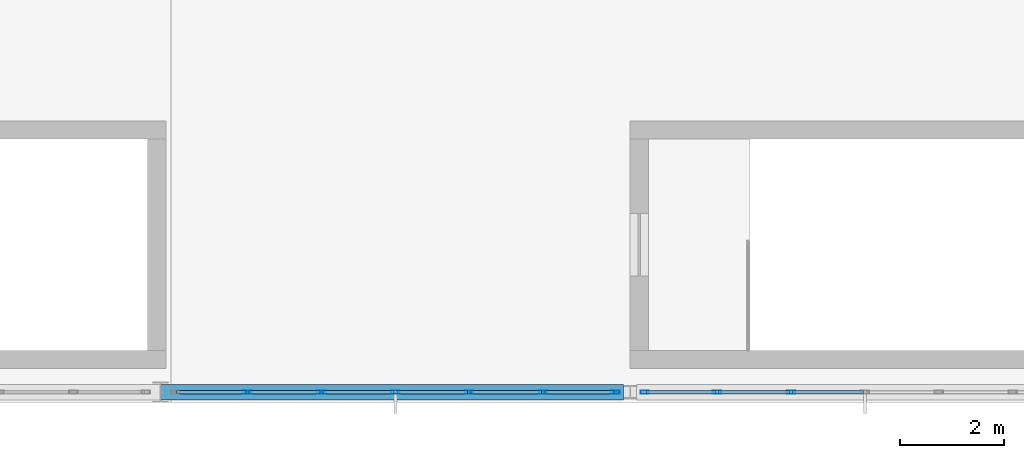
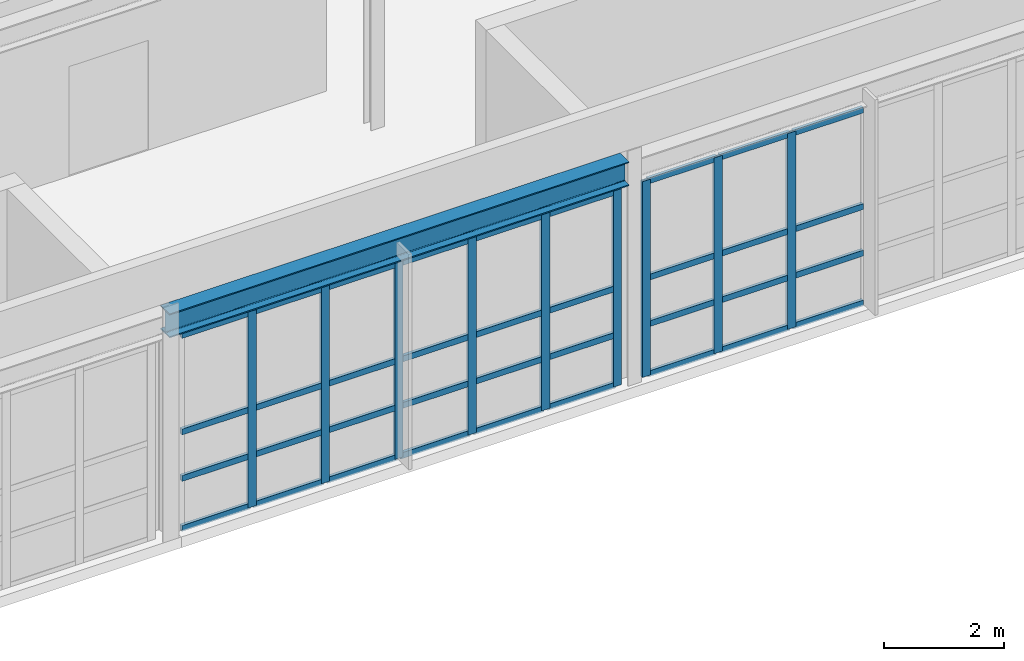
# One storey, part 14 of 38: 45 members, 1 beam, 2 elements without a shape of their own.
"""IFC4 building model written with IfcOpenShell, lengths in metres."""

from ifc_helpers import new_model, si_unit, direction, frame, origin, origin_2d, place, context, subcontext, project, spatial, hollow_rectangle, i_section, extrude, material, material_profile, profile_set, type_object, element, aggregate, save


model = new_model("IFC4")

# Units and contexts
model_context = context("Model", 3, precision=1e-05, world=origin(), true_north=direction((0.0, 1.0)))
body_context = subcontext(model_context, "Body", "Model", "MODEL_VIEW")
ifc_project = project(units=[si_unit("LENGTHUNIT", "METRE"), si_unit("AREAUNIT", "SQUARE_METRE"), si_unit("VOLUMEUNIT", "CUBIC_METRE"), si_unit("PLANEANGLEUNIT", "RADIAN"), si_unit("MASSUNIT", "GRAM", prefix="KILO")], contexts=[model_context])

# Site, building, storey
site_placement = place(None, origin())
site = spatial("IfcSite", under=ifc_project, at=site_placement, CompositionType="ELEMENT")
building_placement = place(site_placement, origin())
building = spatial("IfcBuilding", under=site, at=building_placement, Name="Kaldris Quays Convention Centre", CompositionType="ELEMENT")
storey_placement = place(building_placement, frame((0.0, 0.0, 21.60009765625)))
storey = spatial("IfcBuildingStorey", under=building, at=storey_placement, Name="L04", CompositionType="ELEMENT", Elevation=21.60009765625)

# Curtain wall, members
ifc_material_1 = material(Name="Anodized aluminium AW-6060 and triple glazing", Category="aluminium")
curtain_wall_type = type_object("IfcCurtainWallType", Name="UNITISED CURTAIN WALL CW04", PredefinedType="NOTDEFINED", material=ifc_material_1)
curtain_wall_1_placement = place(storey_placement, origin())
curtain_wall_1 = element("IfcCurtainWall", 1, at=curtain_wall_1_placement, inside=storey, type_object=curtain_wall_type, Name="L04 Unitised Curtain Wall CW04 132", PredefinedType="NOTDEFINED")
ifc_material_2 = material(Name="Anodized aluminium AW-6060", Category="aluminium")
ifc_material_profile_1 = material_profile(ifc_material_2, hollow_rectangle(XDim=0.06005859375, YDim=0.159912109375, WallThickness=0.00390625, at=origin_2d()), Name="RHS 160x60x4")
ifc_profile_set_1 = profile_set([ifc_material_profile_1], Name="Anodized aluminium AW-6060")
member_type_1 = type_object("IfcMemberType", Name="CURTAIN MULLION CWM1", PredefinedType="MULLION", material=ifc_profile_set_1)
member_1_placement = place(storey_placement, frame((120.666748046875, 38.0, 0.0), z_axis=(0.0, 0.0, 1.0), x_axis=(0.0, 1.0, 0.0)))
member_1 = element("IfcMember", 2, at=member_1_placement, type_object=member_type_1, Name="CW04 mullion 2", PredefinedType="MULLION", context=body_context, shape_type="SweptSolid", body=[
    extrude(hollow_rectangle(XDim=0.06005859375, YDim=0.159912109375, WallThickness=0.00390625, at=origin_2d()), origin(), (0.0, 0.0, 1.0), 4.0),
])
member_2_placement = place(storey_placement, frame((122.083251953125, 38.0, 0.0), z_axis=(0.0, 0.0, 1.0), x_axis=(0.0, 1.0, 0.0)))
member_2 = element("IfcMember", 3, at=member_2_placement, type_object=member_type_1, Name="CW04 mullion 3", PredefinedType="MULLION", context=body_context, shape_type="SweptSolid", body=[
    extrude(hollow_rectangle(XDim=0.06005859375, YDim=0.159912109375, WallThickness=0.00390625, at=origin_2d()), origin(), (0.0, 0.0, 1.0), 4.0),
])
member_3_placement = place(storey_placement, frame((123.5, 38.0, 0.0), z_axis=(0.0, 0.0, 1.0), x_axis=(0.0, 1.0, 0.0)))
member_3 = element("IfcMember", 4, at=member_3_placement, type_object=member_type_1, Name="CW04 mullion 4", PredefinedType="MULLION", context=body_context, shape_type="SweptSolid", body=[
    extrude(hollow_rectangle(XDim=0.06005859375, YDim=0.159912109375, WallThickness=0.00390625, at=origin_2d()), origin(), (0.0, 0.0, 1.0), 4.0),
])
member_4_placement = place(storey_placement, frame((124.916748046875, 38.0, 0.0), z_axis=(0.0, 0.0, 1.0), x_axis=(0.0, 1.0, 0.0)))
member_4 = element("IfcMember", 5, at=member_4_placement, type_object=member_type_1, Name="CW04 mullion 5", PredefinedType="MULLION", context=body_context, shape_type="SweptSolid", body=[
    extrude(hollow_rectangle(XDim=0.06005859375, YDim=0.159912109375, WallThickness=0.00390625, at=origin_2d()), origin(), (0.0, 0.0, 1.0), 4.0),
])
member_5_placement = place(storey_placement, frame((126.333251953125, 38.0, 0.0), z_axis=(0.0, 0.0, 1.0), x_axis=(0.0, 1.0, 0.0)))
member_5 = element("IfcMember", 6, at=member_5_placement, type_object=member_type_1, Name="CW04 mullion 6", PredefinedType="MULLION", context=body_context, shape_type="SweptSolid", body=[
    extrude(hollow_rectangle(XDim=0.06005859375, YDim=0.159912109375, WallThickness=0.00390625, at=origin_2d()), origin(), (0.0, 0.0, 1.0), 4.0),
])
member_6_placement = place(storey_placement, frame((127.719970703125, 38.0, 0.0), z_axis=(0.0, 0.0, 1.0), x_axis=(0.0, 1.0, 0.0)))
member_6 = element("IfcMember", 7, at=member_6_placement, type_object=member_type_1, Name="CW04 mullion 7", PredefinedType="MULLION", context=body_context, shape_type="SweptSolid", body=[
    extrude(hollow_rectangle(XDim=0.06005859375, YDim=0.159912109375, WallThickness=0.00390625, at=origin_2d()), origin(), (0.0, 0.0, 1.0), 4.0),
])

curtain_wall_2_placement = place(storey_placement, origin())
curtain_wall_2 = element("IfcCurtainWall", 8, at=curtain_wall_2_placement, inside=storey, type_object=curtain_wall_type, Name="L04 Unitised Curtain Wall CW04 133", PredefinedType="NOTDEFINED")
member_7_placement = place(storey_placement, frame((128.280029296875, 38.0, 0.0), z_axis=(0.0, 0.0, 1.0), x_axis=(0.0, 1.0, 0.0)))
member_7 = element("IfcMember", 9, at=member_7_placement, type_object=member_type_1, Name="CW04 mullion 1", PredefinedType="MULLION", context=body_context, shape_type="SweptSolid", body=[
    extrude(hollow_rectangle(XDim=0.06005859375, YDim=0.159912109375, WallThickness=0.00390625, at=origin_2d()), origin(), (0.0, 0.0, 1.0), 4.0),
])
member_8_placement = place(storey_placement, frame((129.666748046875, 38.0, 0.0), z_axis=(0.0, 0.0, 1.0), x_axis=(0.0, 1.0, 0.0)))
member_8 = element("IfcMember", 10, at=member_8_placement, type_object=member_type_1, Name="CW04 mullion 2", PredefinedType="MULLION", context=body_context, shape_type="SweptSolid", body=[
    extrude(hollow_rectangle(XDim=0.06005859375, YDim=0.159912109375, WallThickness=0.00390625, at=origin_2d()), origin(), (0.0, 0.0, 1.0), 4.0),
])
member_9_placement = place(storey_placement, frame((131.083251953125, 38.0, 0.0), z_axis=(0.0, 0.0, 1.0), x_axis=(0.0, 1.0, 0.0)))
member_9 = element("IfcMember", 11, at=member_9_placement, type_object=member_type_1, Name="CW04 mullion 3", PredefinedType="MULLION", context=body_context, shape_type="SweptSolid", body=[
    extrude(hollow_rectangle(XDim=0.06005859375, YDim=0.159912109375, WallThickness=0.00390625, at=origin_2d()), origin(), (0.0, 0.0, 1.0), 4.0),
])

# Member
ifc_material_profile_2 = material_profile(ifc_material_2, hollow_rectangle(XDim=0.06005859375, YDim=0.1201171875, WallThickness=0.00390625, at=origin_2d()), Name="RHS 120x60x4")
ifc_profile_set_2 = profile_set([ifc_material_profile_2], Name="Anodized aluminium AW-6060")
member_type_2 = type_object("IfcMemberType", Name="CURTAIN TRANSOM CWT1", PredefinedType="USERDEFINED", material=ifc_profile_set_2)
member_10_placement = place(storey_placement, frame((119.31005859375, 38.0, 0.02978515625), z_axis=(1.0, 0.0, 0.0), x_axis=(0.0, 1.0, 0.0)))
member_10 = element("IfcMember", 12, at=member_10_placement, type_object=member_type_2, Name="CW04 transom 1.1", ObjectType="TRANSOM", PredefinedType="USERDEFINED", context=body_context, shape_type="SweptSolid", body=[
    extrude(hollow_rectangle(XDim=0.06005859375, YDim=0.1201171875, WallThickness=0.00390625, at=origin_2d()), origin(), (0.0, 0.0, 1.0), 1.32666015625),
])

member_11_placement = place(storey_placement, frame((119.31005859375, 38.0, 1.0498046875), z_axis=(1.0, 0.0, 0.0), x_axis=(0.0, 1.0, 0.0)))
member_11 = element("IfcMember", 13, at=member_11_placement, type_object=member_type_2, Name="CW04 transom 1.2", ObjectType="TRANSOM", PredefinedType="USERDEFINED", context=body_context, shape_type="SweptSolid", body=[
    extrude(hollow_rectangle(XDim=0.06005859375, YDim=0.1201171875, WallThickness=0.00390625, at=origin_2d()), origin(), (0.0, 0.0, 1.0), 1.32666015625),
])

member_12_placement = place(storey_placement, frame((119.31005859375, 38.0, 2.0), z_axis=(1.0, 0.0, 0.0), x_axis=(0.0, 1.0, 0.0)))
member_12 = element("IfcMember", 14, at=member_12_placement, type_object=member_type_2, Name="CW04 transom 1.3", ObjectType="TRANSOM", PredefinedType="USERDEFINED", context=body_context, shape_type="SweptSolid", body=[
    extrude(hollow_rectangle(XDim=0.06005859375, YDim=0.1201171875, WallThickness=0.00390625, at=origin_2d()), origin(), (0.0, 0.0, 1.0), 1.32666015625),
])

member_13_placement = place(storey_placement, frame((119.31005859375, 38.0, 3.969970703125), z_axis=(1.0, 0.0, 0.0), x_axis=(0.0, 1.0, 0.0)))
member_13 = element("IfcMember", 15, at=member_13_placement, type_object=member_type_2, Name="CW04 transom 1.4", ObjectType="TRANSOM", PredefinedType="USERDEFINED", context=body_context, shape_type="SweptSolid", body=[
    extrude(hollow_rectangle(XDim=0.06005859375, YDim=0.1201171875, WallThickness=0.00390625, at=origin_2d()), origin(), (0.0, 0.0, 1.0), 1.32666015625),
])

member_14_placement = place(storey_placement, frame((120.69677734375, 38.0, 0.02978515625), z_axis=(1.0, 0.0, 0.0), x_axis=(0.0, 1.0, 0.0)))
member_14 = element("IfcMember", 16, at=member_14_placement, type_object=member_type_2, Name="CW04 transom 2.1", ObjectType="TRANSOM", PredefinedType="USERDEFINED", context=body_context, shape_type="SweptSolid", body=[
    extrude(hollow_rectangle(XDim=0.06005859375, YDim=0.1201171875, WallThickness=0.00390625, at=origin_2d()), origin(), (0.0, 0.0, 1.0), 1.3564453125),
])

member_15_placement = place(storey_placement, frame((120.69677734375, 38.0, 1.0498046875), z_axis=(1.0, 0.0, 0.0), x_axis=(0.0, 1.0, 0.0)))
member_15 = element("IfcMember", 17, at=member_15_placement, type_object=member_type_2, Name="CW04 transom 2.2", ObjectType="TRANSOM", PredefinedType="USERDEFINED", context=body_context, shape_type="SweptSolid", body=[
    extrude(hollow_rectangle(XDim=0.06005859375, YDim=0.1201171875, WallThickness=0.00390625, at=origin_2d()), origin(), (0.0, 0.0, 1.0), 1.3564453125),
])

member_16_placement = place(storey_placement, frame((120.69677734375, 38.0, 2.0), z_axis=(1.0, 0.0, 0.0), x_axis=(0.0, 1.0, 0.0)))
member_16 = element("IfcMember", 18, at=member_16_placement, type_object=member_type_2, Name="CW04 transom 2.3", ObjectType="TRANSOM", PredefinedType="USERDEFINED", context=body_context, shape_type="SweptSolid", body=[
    extrude(hollow_rectangle(XDim=0.06005859375, YDim=0.1201171875, WallThickness=0.00390625, at=origin_2d()), origin(), (0.0, 0.0, 1.0), 1.3564453125),
])

member_17_placement = place(storey_placement, frame((120.69677734375, 38.0, 3.969970703125), z_axis=(1.0, 0.0, 0.0), x_axis=(0.0, 1.0, 0.0)))
member_17 = element("IfcMember", 19, at=member_17_placement, type_object=member_type_2, Name="CW04 transom 2.4", ObjectType="TRANSOM", PredefinedType="USERDEFINED", context=body_context, shape_type="SweptSolid", body=[
    extrude(hollow_rectangle(XDim=0.06005859375, YDim=0.1201171875, WallThickness=0.00390625, at=origin_2d()), origin(), (0.0, 0.0, 1.0), 1.3564453125),
])

member_18_placement = place(storey_placement, frame((122.11328125, 38.0, 0.02978515625), z_axis=(1.0, 0.0, 0.0), x_axis=(0.0, 1.0, 0.0)))
member_18 = element("IfcMember", 20, at=member_18_placement, type_object=member_type_2, Name="CW04 transom 3.1", ObjectType="TRANSOM", PredefinedType="USERDEFINED", context=body_context, shape_type="SweptSolid", body=[
    extrude(hollow_rectangle(XDim=0.06005859375, YDim=0.1201171875, WallThickness=0.00390625, at=origin_2d()), origin(), (0.0, 0.0, 1.0), 1.356689453125),
])

member_19_placement = place(storey_placement, frame((122.11328125, 38.0, 1.0498046875), z_axis=(1.0, 0.0, 0.0), x_axis=(0.0, 1.0, 0.0)))
member_19 = element("IfcMember", 21, at=member_19_placement, type_object=member_type_2, Name="CW04 transom 3.2", ObjectType="TRANSOM", PredefinedType="USERDEFINED", context=body_context, shape_type="SweptSolid", body=[
    extrude(hollow_rectangle(XDim=0.06005859375, YDim=0.1201171875, WallThickness=0.00390625, at=origin_2d()), origin(), (0.0, 0.0, 1.0), 1.356689453125),
])

member_20_placement = place(storey_placement, frame((122.11328125, 38.0, 2.0), z_axis=(1.0, 0.0, 0.0), x_axis=(0.0, 1.0, 0.0)))
member_20 = element("IfcMember", 22, at=member_20_placement, type_object=member_type_2, Name="CW04 transom 3.3", ObjectType="TRANSOM", PredefinedType="USERDEFINED", context=body_context, shape_type="SweptSolid", body=[
    extrude(hollow_rectangle(XDim=0.06005859375, YDim=0.1201171875, WallThickness=0.00390625, at=origin_2d()), origin(), (0.0, 0.0, 1.0), 1.356689453125),
])

member_21_placement = place(storey_placement, frame((122.11328125, 38.0, 3.969970703125), z_axis=(1.0, 0.0, 0.0), x_axis=(0.0, 1.0, 0.0)))
member_21 = element("IfcMember", 23, at=member_21_placement, type_object=member_type_2, Name="CW04 transom 3.4", ObjectType="TRANSOM", PredefinedType="USERDEFINED", context=body_context, shape_type="SweptSolid", body=[
    extrude(hollow_rectangle(XDim=0.06005859375, YDim=0.1201171875, WallThickness=0.00390625, at=origin_2d()), origin(), (0.0, 0.0, 1.0), 1.356689453125),
])

member_22_placement = place(storey_placement, frame((123.530029296875, 38.0, 0.02978515625), z_axis=(1.0, 0.0, 0.0), x_axis=(0.0, 1.0, 0.0)))
member_22 = element("IfcMember", 24, at=member_22_placement, type_object=member_type_2, Name="CW04 transom 4.1", ObjectType="TRANSOM", PredefinedType="USERDEFINED", context=body_context, shape_type="SweptSolid", body=[
    extrude(hollow_rectangle(XDim=0.06005859375, YDim=0.1201171875, WallThickness=0.00390625, at=origin_2d()), origin(), (0.0, 0.0, 1.0), 1.356689453125),
])

member_23_placement = place(storey_placement, frame((123.530029296875, 38.0, 1.0498046875), z_axis=(1.0, 0.0, 0.0), x_axis=(0.0, 1.0, 0.0)))
member_23 = element("IfcMember", 25, at=member_23_placement, type_object=member_type_2, Name="CW04 transom 4.2", ObjectType="TRANSOM", PredefinedType="USERDEFINED", context=body_context, shape_type="SweptSolid", body=[
    extrude(hollow_rectangle(XDim=0.06005859375, YDim=0.1201171875, WallThickness=0.00390625, at=origin_2d()), origin(), (0.0, 0.0, 1.0), 1.356689453125),
])

member_24_placement = place(storey_placement, frame((123.530029296875, 38.0, 2.0), z_axis=(1.0, 0.0, 0.0), x_axis=(0.0, 1.0, 0.0)))
member_24 = element("IfcMember", 26, at=member_24_placement, type_object=member_type_2, Name="CW04 transom 4.3", ObjectType="TRANSOM", PredefinedType="USERDEFINED", context=body_context, shape_type="SweptSolid", body=[
    extrude(hollow_rectangle(XDim=0.06005859375, YDim=0.1201171875, WallThickness=0.00390625, at=origin_2d()), origin(), (0.0, 0.0, 1.0), 1.356689453125),
])

member_25_placement = place(storey_placement, frame((123.530029296875, 38.0, 3.969970703125), z_axis=(1.0, 0.0, 0.0), x_axis=(0.0, 1.0, 0.0)))
member_25 = element("IfcMember", 27, at=member_25_placement, type_object=member_type_2, Name="CW04 transom 4.4", ObjectType="TRANSOM", PredefinedType="USERDEFINED", context=body_context, shape_type="SweptSolid", body=[
    extrude(hollow_rectangle(XDim=0.06005859375, YDim=0.1201171875, WallThickness=0.00390625, at=origin_2d()), origin(), (0.0, 0.0, 1.0), 1.356689453125),
])

member_26_placement = place(storey_placement, frame((124.94677734375, 38.0, 0.02978515625), z_axis=(1.0, 0.0, 0.0), x_axis=(0.0, 1.0, 0.0)))
member_26 = element("IfcMember", 28, at=member_26_placement, type_object=member_type_2, Name="CW04 transom 5.1", ObjectType="TRANSOM", PredefinedType="USERDEFINED", context=body_context, shape_type="SweptSolid", body=[
    extrude(hollow_rectangle(XDim=0.06005859375, YDim=0.1201171875, WallThickness=0.00390625, at=origin_2d()), origin(), (0.0, 0.0, 1.0), 1.3564453125),
])

member_27_placement = place(storey_placement, frame((124.94677734375, 38.0, 1.0498046875), z_axis=(1.0, 0.0, 0.0), x_axis=(0.0, 1.0, 0.0)))
member_27 = element("IfcMember", 29, at=member_27_placement, type_object=member_type_2, Name="CW04 transom 5.2", ObjectType="TRANSOM", PredefinedType="USERDEFINED", context=body_context, shape_type="SweptSolid", body=[
    extrude(hollow_rectangle(XDim=0.06005859375, YDim=0.1201171875, WallThickness=0.00390625, at=origin_2d()), origin(), (0.0, 0.0, 1.0), 1.3564453125),
])

member_28_placement = place(storey_placement, frame((124.94677734375, 38.0, 2.0), z_axis=(1.0, 0.0, 0.0), x_axis=(0.0, 1.0, 0.0)))
member_28 = element("IfcMember", 30, at=member_28_placement, type_object=member_type_2, Name="CW04 transom 5.3", ObjectType="TRANSOM", PredefinedType="USERDEFINED", context=body_context, shape_type="SweptSolid", body=[
    extrude(hollow_rectangle(XDim=0.06005859375, YDim=0.1201171875, WallThickness=0.00390625, at=origin_2d()), origin(), (0.0, 0.0, 1.0), 1.3564453125),
])

member_29_placement = place(storey_placement, frame((124.94677734375, 38.0, 3.969970703125), z_axis=(1.0, 0.0, 0.0), x_axis=(0.0, 1.0, 0.0)))
member_29 = element("IfcMember", 31, at=member_29_placement, type_object=member_type_2, Name="CW04 transom 5.4", ObjectType="TRANSOM", PredefinedType="USERDEFINED", context=body_context, shape_type="SweptSolid", body=[
    extrude(hollow_rectangle(XDim=0.06005859375, YDim=0.1201171875, WallThickness=0.00390625, at=origin_2d()), origin(), (0.0, 0.0, 1.0), 1.3564453125),
])

member_30_placement = place(storey_placement, frame((126.36328125, 38.0, 0.02978515625), z_axis=(1.0, 0.0, 0.0), x_axis=(0.0, 1.0, 0.0)))
member_30 = element("IfcMember", 32, at=member_30_placement, type_object=member_type_2, Name="CW04 transom 6.1", ObjectType="TRANSOM", PredefinedType="USERDEFINED", context=body_context, shape_type="SweptSolid", body=[
    extrude(hollow_rectangle(XDim=0.06005859375, YDim=0.1201171875, WallThickness=0.00390625, at=origin_2d()), origin(), (0.0, 0.0, 1.0), 1.32666015625),
])

member_31_placement = place(storey_placement, frame((126.36328125, 38.0, 1.0498046875), z_axis=(1.0, 0.0, 0.0), x_axis=(0.0, 1.0, 0.0)))
member_31 = element("IfcMember", 33, at=member_31_placement, type_object=member_type_2, Name="CW04 transom 6.2", ObjectType="TRANSOM", PredefinedType="USERDEFINED", context=body_context, shape_type="SweptSolid", body=[
    extrude(hollow_rectangle(XDim=0.06005859375, YDim=0.1201171875, WallThickness=0.00390625, at=origin_2d()), origin(), (0.0, 0.0, 1.0), 1.32666015625),
])

member_32_placement = place(storey_placement, frame((126.36328125, 38.0, 2.0), z_axis=(1.0, 0.0, 0.0), x_axis=(0.0, 1.0, 0.0)))
member_32 = element("IfcMember", 34, at=member_32_placement, type_object=member_type_2, Name="CW04 transom 6.3", ObjectType="TRANSOM", PredefinedType="USERDEFINED", context=body_context, shape_type="SweptSolid", body=[
    extrude(hollow_rectangle(XDim=0.06005859375, YDim=0.1201171875, WallThickness=0.00390625, at=origin_2d()), origin(), (0.0, 0.0, 1.0), 1.32666015625),
])

member_33_placement = place(storey_placement, frame((126.36328125, 38.0, 3.969970703125), z_axis=(1.0, 0.0, 0.0), x_axis=(0.0, 1.0, 0.0)))
member_33 = element("IfcMember", 35, at=member_33_placement, type_object=member_type_2, Name="CW04 transom 6.4", ObjectType="TRANSOM", PredefinedType="USERDEFINED", context=body_context, shape_type="SweptSolid", body=[
    extrude(hollow_rectangle(XDim=0.06005859375, YDim=0.1201171875, WallThickness=0.00390625, at=origin_2d()), origin(), (0.0, 0.0, 1.0), 1.32666015625),
])

aggregate(curtain_wall_1, [member_1, member_2, member_3, member_4, member_5, member_6, member_10, member_11, member_12, member_13, member_14, member_15, member_16, member_17, member_18, member_19, member_20, member_21, member_22, member_23, member_24, member_25, member_26, member_27, member_28, member_29, member_30, member_31, member_32, member_33])

member_34_placement = place(storey_placement, frame((128.31005859375, 38.0, 0.02978515625), z_axis=(1.0, 0.0, 0.0), x_axis=(0.0, 1.0, 0.0)))
member_34 = element("IfcMember", 36, at=member_34_placement, type_object=member_type_2, Name="CW04 transom 1.1", ObjectType="TRANSOM", PredefinedType="USERDEFINED", context=body_context, shape_type="SweptSolid", body=[
    extrude(hollow_rectangle(XDim=0.06005859375, YDim=0.1201171875, WallThickness=0.00390625, at=origin_2d()), origin(), (0.0, 0.0, 1.0), 1.32666015625),
])

member_35_placement = place(storey_placement, frame((128.31005859375, 38.0, 1.0498046875), z_axis=(1.0, 0.0, 0.0), x_axis=(0.0, 1.0, 0.0)))
member_35 = element("IfcMember", 37, at=member_35_placement, type_object=member_type_2, Name="CW04 transom 1.2", ObjectType="TRANSOM", PredefinedType="USERDEFINED", context=body_context, shape_type="SweptSolid", body=[
    extrude(hollow_rectangle(XDim=0.06005859375, YDim=0.1201171875, WallThickness=0.00390625, at=origin_2d()), origin(), (0.0, 0.0, 1.0), 1.32666015625),
])

member_36_placement = place(storey_placement, frame((128.31005859375, 38.0, 2.0), z_axis=(1.0, 0.0, 0.0), x_axis=(0.0, 1.0, 0.0)))
member_36 = element("IfcMember", 38, at=member_36_placement, type_object=member_type_2, Name="CW04 transom 1.3", ObjectType="TRANSOM", PredefinedType="USERDEFINED", context=body_context, shape_type="SweptSolid", body=[
    extrude(hollow_rectangle(XDim=0.06005859375, YDim=0.1201171875, WallThickness=0.00390625, at=origin_2d()), origin(), (0.0, 0.0, 1.0), 1.32666015625),
])

member_37_placement = place(storey_placement, frame((128.31005859375, 38.0, 3.969970703125), z_axis=(1.0, 0.0, 0.0), x_axis=(0.0, 1.0, 0.0)))
member_37 = element("IfcMember", 39, at=member_37_placement, type_object=member_type_2, Name="CW04 transom 1.4", ObjectType="TRANSOM", PredefinedType="USERDEFINED", context=body_context, shape_type="SweptSolid", body=[
    extrude(hollow_rectangle(XDim=0.06005859375, YDim=0.1201171875, WallThickness=0.00390625, at=origin_2d()), origin(), (0.0, 0.0, 1.0), 1.32666015625),
])

member_38_placement = place(storey_placement, frame((129.69677734375, 38.0, 0.02978515625), z_axis=(1.0, 0.0, 0.0), x_axis=(0.0, 1.0, 0.0)))
member_38 = element("IfcMember", 40, at=member_38_placement, type_object=member_type_2, Name="CW04 transom 2.1", ObjectType="TRANSOM", PredefinedType="USERDEFINED", context=body_context, shape_type="SweptSolid", body=[
    extrude(hollow_rectangle(XDim=0.06005859375, YDim=0.1201171875, WallThickness=0.00390625, at=origin_2d()), origin(), (0.0, 0.0, 1.0), 1.3564453125),
])

member_39_placement = place(storey_placement, frame((129.69677734375, 38.0, 1.0498046875), z_axis=(1.0, 0.0, 0.0), x_axis=(0.0, 1.0, 0.0)))
member_39 = element("IfcMember", 41, at=member_39_placement, type_object=member_type_2, Name="CW04 transom 2.2", ObjectType="TRANSOM", PredefinedType="USERDEFINED", context=body_context, shape_type="SweptSolid", body=[
    extrude(hollow_rectangle(XDim=0.06005859375, YDim=0.1201171875, WallThickness=0.00390625, at=origin_2d()), origin(), (0.0, 0.0, 1.0), 1.3564453125),
])

member_40_placement = place(storey_placement, frame((129.69677734375, 38.0, 2.0), z_axis=(1.0, 0.0, 0.0), x_axis=(0.0, 1.0, 0.0)))
member_40 = element("IfcMember", 42, at=member_40_placement, type_object=member_type_2, Name="CW04 transom 2.3", ObjectType="TRANSOM", PredefinedType="USERDEFINED", context=body_context, shape_type="SweptSolid", body=[
    extrude(hollow_rectangle(XDim=0.06005859375, YDim=0.1201171875, WallThickness=0.00390625, at=origin_2d()), origin(), (0.0, 0.0, 1.0), 1.3564453125),
])

member_41_placement = place(storey_placement, frame((129.69677734375, 38.0, 3.969970703125), z_axis=(1.0, 0.0, 0.0), x_axis=(0.0, 1.0, 0.0)))
member_41 = element("IfcMember", 43, at=member_41_placement, type_object=member_type_2, Name="CW04 transom 2.4", ObjectType="TRANSOM", PredefinedType="USERDEFINED", context=body_context, shape_type="SweptSolid", body=[
    extrude(hollow_rectangle(XDim=0.06005859375, YDim=0.1201171875, WallThickness=0.00390625, at=origin_2d()), origin(), (0.0, 0.0, 1.0), 1.3564453125),
])

member_42_placement = place(storey_placement, frame((131.11328125, 38.0, 0.02978515625), z_axis=(1.0, 0.0, 0.0), x_axis=(0.0, 1.0, 0.0)))
member_42 = element("IfcMember", 44, at=member_42_placement, type_object=member_type_2, Name="CW04 transom 3.1", ObjectType="TRANSOM", PredefinedType="USERDEFINED", context=body_context, shape_type="SweptSolid", body=[
    extrude(hollow_rectangle(XDim=0.06005859375, YDim=0.1201171875, WallThickness=0.00390625, at=origin_2d()), origin(), (0.0, 0.0, 1.0), 1.356689453125),
])

member_43_placement = place(storey_placement, frame((131.11328125, 38.0, 1.0498046875), z_axis=(1.0, 0.0, 0.0), x_axis=(0.0, 1.0, 0.0)))
member_43 = element("IfcMember", 45, at=member_43_placement, type_object=member_type_2, Name="CW04 transom 3.2", ObjectType="TRANSOM", PredefinedType="USERDEFINED", context=body_context, shape_type="SweptSolid", body=[
    extrude(hollow_rectangle(XDim=0.06005859375, YDim=0.1201171875, WallThickness=0.00390625, at=origin_2d()), origin(), (0.0, 0.0, 1.0), 1.356689453125),
])

member_44_placement = place(storey_placement, frame((131.11328125, 38.0, 2.0), z_axis=(1.0, 0.0, 0.0), x_axis=(0.0, 1.0, 0.0)))
member_44 = element("IfcMember", 46, at=member_44_placement, type_object=member_type_2, Name="CW04 transom 3.3", ObjectType="TRANSOM", PredefinedType="USERDEFINED", context=body_context, shape_type="SweptSolid", body=[
    extrude(hollow_rectangle(XDim=0.06005859375, YDim=0.1201171875, WallThickness=0.00390625, at=origin_2d()), origin(), (0.0, 0.0, 1.0), 1.356689453125),
])

member_45_placement = place(storey_placement, frame((131.11328125, 38.0, 3.969970703125), z_axis=(1.0, 0.0, 0.0), x_axis=(0.0, 1.0, 0.0)))
member_45 = element("IfcMember", 47, at=member_45_placement, type_object=member_type_2, Name="CW04 transom 3.4", ObjectType="TRANSOM", PredefinedType="USERDEFINED", context=body_context, shape_type="SweptSolid", body=[
    extrude(hollow_rectangle(XDim=0.06005859375, YDim=0.1201171875, WallThickness=0.00390625, at=origin_2d()), origin(), (0.0, 0.0, 1.0), 1.356689453125),
])

aggregate(curtain_wall_2, [member_7, member_8, member_9, member_34, member_35, member_36, member_37, member_38, member_39, member_40, member_41, member_42, member_43, member_44, member_45])

# Beam
ifc_material_3 = material(Name="Steel S355J2", Category="steel")
ifc_material_profile_3 = material_profile(ifc_material_3, i_section(OverallWidth=0.300048828125, OverallDepth=0.489990234375, WebThickness=0.011962890625, FlangeThickness=0.02294921875, FilletRadius=0.027099609375, at=origin_2d()), Name="HEA 500")
ifc_profile_set_3 = profile_set([ifc_material_profile_3], Name="Steel S355J2")
beam_type = type_object("IfcBeamType", Name="STRUCTURAL BEAM BM09", PredefinedType="BEAM", material=ifc_profile_set_3)
beam_placement = place(storey_placement, frame((119.000732421875, 38.0, 4.347900390625), z_axis=(1.0, 0.0, 0.0), x_axis=(0.0, 1.0, 0.0)))
element("IfcBeam", 48, at=beam_placement, inside=storey, type_object=beam_type, Name="L04 Girder BM09 4", PredefinedType="BEAM", context=body_context, shape_type="SweptSolid", body=[
    extrude(i_section(OverallWidth=0.300048828125, OverallDepth=0.489990234375, WebThickness=0.011962890625, FlangeThickness=0.02294921875, FilletRadius=0.027099609375, at=origin_2d()), origin(), (0.0, 0.0, 1.0), 8.875244140625),
])

save(model, "model.ifc")
